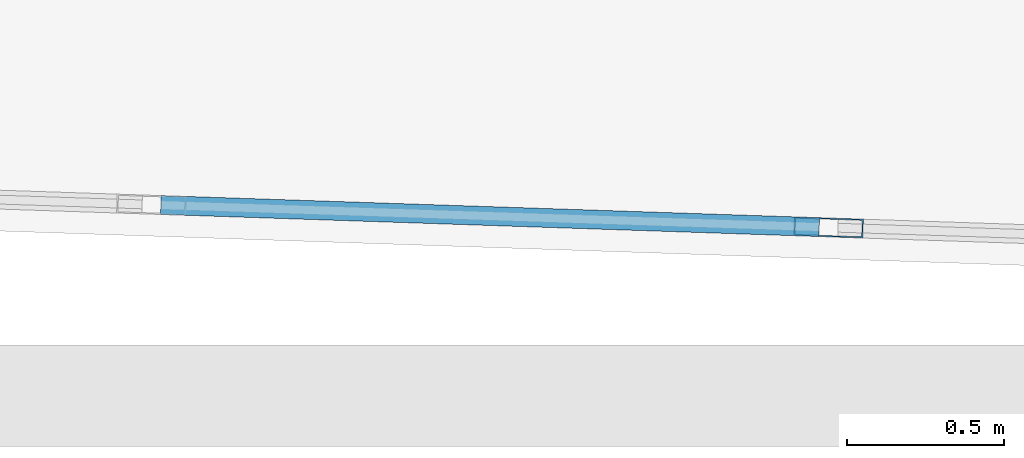
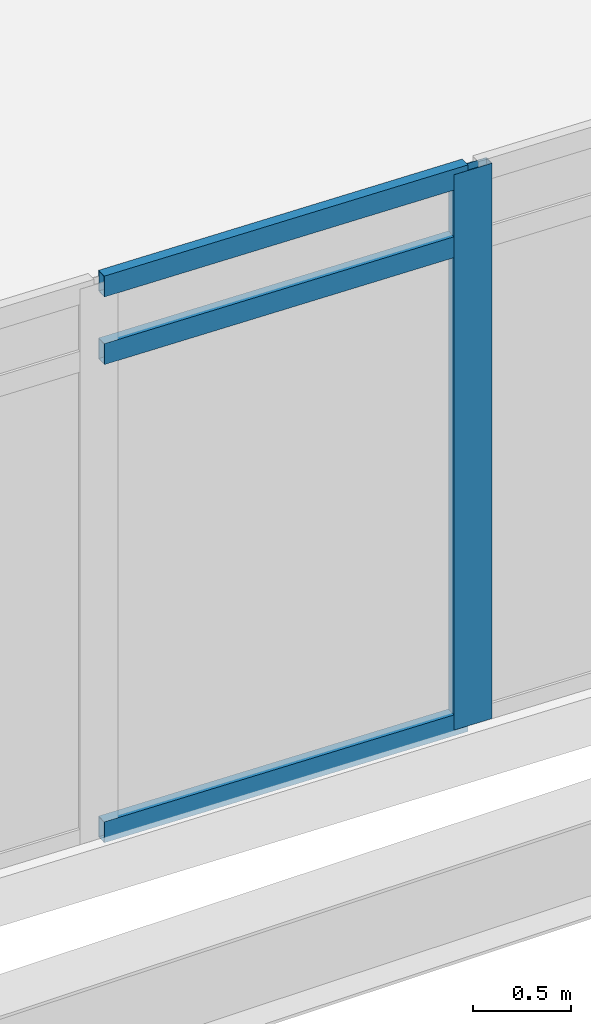
# One storey, part 3 of 29: 4 members, 1 element without a shape of its own.
"""IFC4 building model written with IfcOpenShell, lengths in metres."""

from ifc_helpers import new_model, si_unit, direction, frame, origin, origin_2d, place, context, subcontext, project, spatial, hollow_rectangle, extrude, material, material_profile, profile_set, type_object, element, aggregate, save


model = new_model("IFC4")

# Units and contexts
model_context = context("Model", 3, precision=1e-05, world=origin(), true_north=direction((0.0, 1.0)))
body_context = subcontext(model_context, "Body", "Model", "MODEL_VIEW")
ifc_project = project(units=[si_unit("LENGTHUNIT", "METRE"), si_unit("AREAUNIT", "SQUARE_METRE"), si_unit("VOLUMEUNIT", "CUBIC_METRE"), si_unit("PLANEANGLEUNIT", "RADIAN"), si_unit("MASSUNIT", "GRAM", prefix="KILO")], contexts=[model_context])

# Site, building, storey
site_placement = place(None, origin())
site = spatial("IfcSite", under=ifc_project, at=site_placement, CompositionType="ELEMENT")
building_placement = place(site_placement, origin())
building = spatial("IfcBuilding", under=site, at=building_placement, Name="Ostrander Bayou Hotel Tower", CompositionType="ELEMENT")
storey_placement = place(building_placement, frame((0.0, 0.0, 202.0)))
storey = spatial("IfcBuildingStorey", under=building, at=storey_placement, Name="L50", CompositionType="ELEMENT", Elevation=202.0)

# Curtain wall, members
ifc_material_1 = material(Name="Aluminium and clear glass", Category="aluminium")
curtain_wall_type = type_object("IfcCurtainWallType", Name="CW-BAR glazed wall", PredefinedType="NOTDEFINED", material=ifc_material_1)
curtain_wall_placement = place(storey_placement, origin())
curtain_wall = element("IfcCurtainWall", 1, at=curtain_wall_placement, inside=storey, type_object=curtain_wall_type, Name="CW-BAR L50:SB4S:T", PredefinedType="NOTDEFINED")
ifc_material_2 = material(Name="Aluminium", Category="aluminium")
ifc_material_profile_1 = material_profile(ifc_material_2, hollow_rectangle(XDim=0.06005859375, YDim=0.219970703125, WallThickness=0.00390625, at=origin_2d()))
ifc_profile_set_1 = profile_set([ifc_material_profile_1], Name="Aluminium")
member_type_1 = type_object("IfcMemberType", Name="CW-BR mullion 60 x 220 mm", PredefinedType="MULLION", material=ifc_profile_set_1)
member_1_placement = place(storey_placement, frame((-1.077880859375, -29.61376953125, 0.0), z_axis=(0.0, 0.0, 1.0), x_axis=(0.03350511268, 0.999438546097, 0.0)))
member_1 = element("IfcMember", 2, at=member_1_placement, type_object=member_type_1, Name="CW-BAR mullion 6", PredefinedType="MULLION", context=body_context, shape_type="SweptSolid", body=[
    extrude(hollow_rectangle(XDim=0.06005859375, YDim=0.219970703125, WallThickness=0.00390625, at=origin_2d()), origin(), (0.0, 0.0, 1.0), 3.449951171875),
])
ifc_material_3 = material(Name="Aluminium", Category="aluminium")
ifc_material_profile_2 = material_profile(ifc_material_3, hollow_rectangle(XDim=0.06005859375, YDim=0.1298828125, WallThickness=0.00390625, at=origin_2d()))
ifc_profile_set_2 = profile_set([ifc_material_profile_2], Name="Aluminium")
member_type_2 = type_object("IfcMemberType", Name="CW-BR transom 60 x 130 mm", PredefinedType="USERDEFINED", material=ifc_profile_set_2)
member_2_placement = place(storey_placement, frame((-3.203857421875, -29.54248046875, 0.030029296875), z_axis=(0.99943777778, -0.033528023297, 0.0), x_axis=(0.033528023297, 0.99943777778, 0.0)))
member_2 = element("IfcMember", 3, at=member_2_placement, type_object=member_type_2, Name="CW-BAR transom 5.1", ObjectType="TRANSOM", PredefinedType="USERDEFINED", context=body_context, shape_type="SweptSolid", body=[
    extrude(hollow_rectangle(XDim=0.06005859375, YDim=0.1298828125, WallThickness=0.00390625, at=origin_2d()), origin(), (0.0, 0.0, 1.0), 2.09716796875),
])
member_3_placement = place(storey_placement, frame((-3.203857421875, -29.54248046875, 3.0), z_axis=(0.99943777778, -0.033528023297, 0.0), x_axis=(0.033528023297, 0.99943777778, 0.0)))
member_3 = element("IfcMember", 4, at=member_3_placement, type_object=member_type_2, Name="CW-BAR transom 5.2", ObjectType="TRANSOM", PredefinedType="USERDEFINED", context=body_context, shape_type="SweptSolid", body=[
    extrude(hollow_rectangle(XDim=0.06005859375, YDim=0.1298828125, WallThickness=0.00390625, at=origin_2d()), origin(), (0.0, 0.0, 1.0), 2.09716796875),
])
member_4_placement = place(storey_placement, frame((-3.203857421875, -29.54248046875, 3.419921875), z_axis=(0.99943777778, -0.033528023297, 0.0), x_axis=(0.033528023297, 0.99943777778, 0.0)))
member_4 = element("IfcMember", 5, at=member_4_placement, type_object=member_type_2, Name="CW-BAR transom 5.3", ObjectType="TRANSOM", PredefinedType="USERDEFINED", context=body_context, shape_type="SweptSolid", body=[
    extrude(hollow_rectangle(XDim=0.06005859375, YDim=0.1298828125, WallThickness=0.00390625, at=origin_2d()), origin(), (0.0, 0.0, 1.0), 2.09716796875),
])
aggregate(curtain_wall, [member_1, member_2, member_3, member_4])

save(model, "model.ifc")
